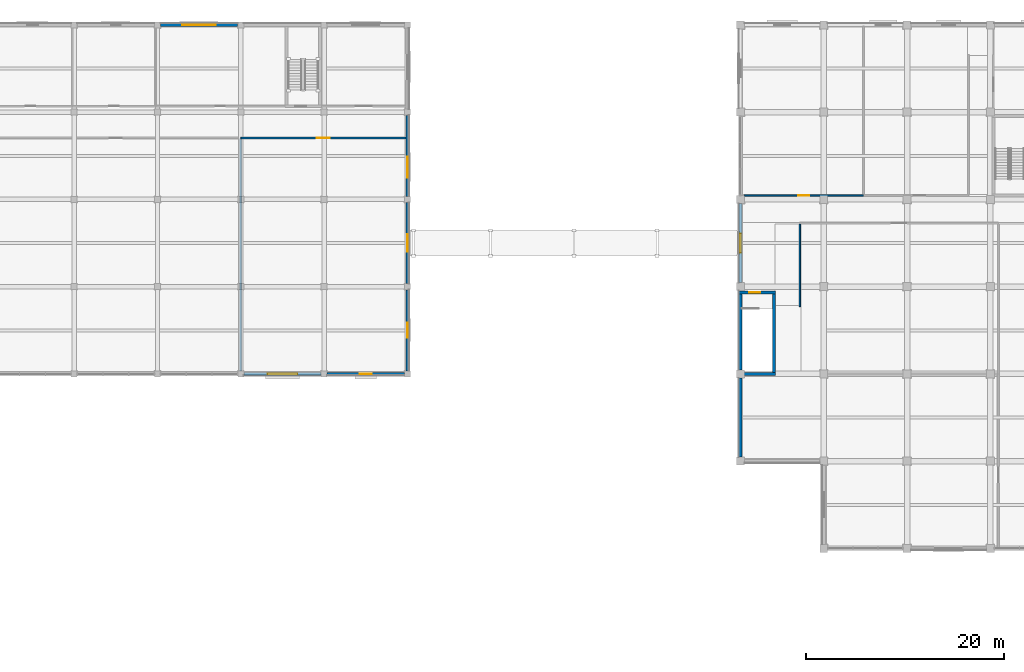
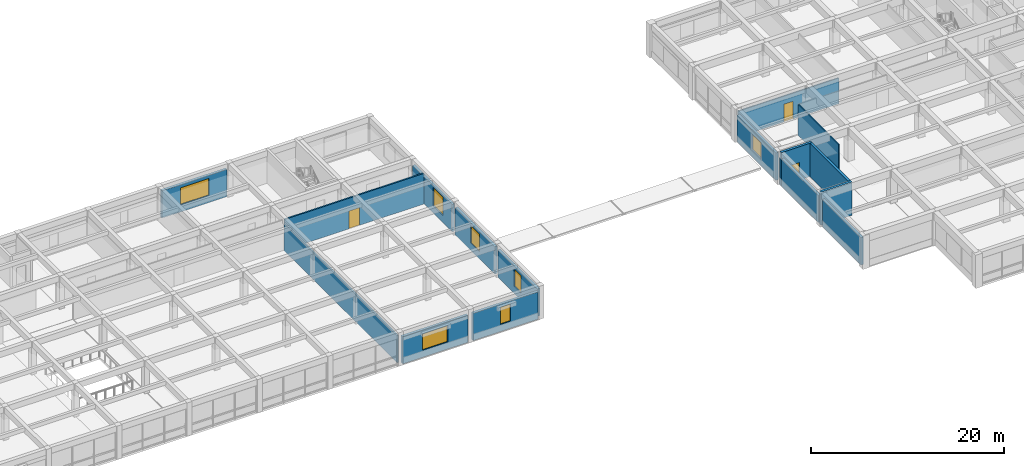
# One storey, part 33 of 46: 16 walls, 7 windows, 3 doors, 10 openings.
"""IFC4 building model written with IfcOpenShell, lengths in metres."""

from ifc_helpers import new_model, si_unit, direction, frame, frame_2d, origin, place, context, subcontext, project, spatial, rectangle, extrude, material, layer, layer_set, type_object, element, fill, save


model = new_model("IFC4")

# Units and contexts
model_context = context("Model", 3, precision=1e-05, world=origin(), true_north=direction((0.0, 1.0)))
body_context = subcontext(model_context, "Body", "Model", "MODEL_VIEW")
ifc_project = project(units=[si_unit("LENGTHUNIT", "METRE"), si_unit("AREAUNIT", "SQUARE_METRE"), si_unit("VOLUMEUNIT", "CUBIC_METRE"), si_unit("PLANEANGLEUNIT", "RADIAN"), si_unit("MASSUNIT", "GRAM", prefix="KILO")], contexts=[model_context])

# Site, building, storey
site_placement = place(None, origin())
site = spatial("IfcSite", under=ifc_project, at=site_placement, CompositionType="ELEMENT")
building_placement = place(site_placement, origin())
building = spatial("IfcBuilding", under=site, at=building_placement, Name="Kemercrest Conservatory and Botanical Centre", CompositionType="ELEMENT")
storey_placement = place(building_placement, frame((0.0, 0.0, 9.0)))
storey = spatial("IfcBuildingStorey", under=building, at=storey_placement, Name="L02", CompositionType="ELEMENT", Elevation=9.0)

# Walls
ifc_material_1 = material(Name="Precast concrete C40/50", Category="concrete")
ifc_layer_1 = layer(ifc_material_1, 0.300048828125)
ifc_layer_set_1 = layer_set([ifc_layer_1], Name="Precast concrete C40/50")
wall_type_1 = type_object("IfcWallType", Name="CW-EXT300", PredefinedType="SHEAR", material=ifc_layer_set_1)
for number, where, z_axis, x_axis, name in (
    (1, (125.60009765625, 95.590087890625, 0.0), (0.0, 0.0, 1.0), (0.0, -1.0, 0.0), "Exterior stair-core shear wall CW-EXT300 (WAL:L02:EXT-206)"),
    (2, (125.60009765625, 86.7900390625, 0.0), (0.0, 0.0, 1.0), (0.0, -1.0, 0.0), "Exterior stair-core shear wall CW-EXT300 (WAL:L02:EXT-207)"),
):
    element("IfcWall", number, at=place(storey_placement, frame(where, z_axis=z_axis, x_axis=x_axis)), inside=storey, type_object=wall_type_1, Name=name, PredefinedType="SHEAR", context=body_context, shape_type="SweptSolid", body=[
        extrude(rectangle(XDim=7.97998046875, YDim=0.300048828125, at=frame_2d((3.989990234375, 0.0))), origin(), (0.0, 0.0, 1.0), 3.449951171875),
    ])
ifc_material_2 = material(Name="Concrete C50/60", Category="concrete")
ifc_layer_2 = layer(ifc_material_2, 0.300048828125)
ifc_layer_set_2 = layer_set([ifc_layer_2], Name="Concrete C50/60")
wall_type_2 = type_object("IfcWallType", Name="CW-STAIR", PredefinedType="SHEAR", material=ifc_layer_set_2)
wall_1_placement = place(storey_placement, frame((125.449951171875, 87.199951171875, 0.0), z_axis=(0.0, 0.0, 1.0), x_axis=(1.0, 0.0, 0.0)))
element("IfcWall", 3, at=wall_1_placement, inside=storey, type_object=wall_type_2, Name="Stair core ST-V4C shear wall S", PredefinedType="SHEAR", context=body_context, shape_type="SweptSolid", body=[
    extrude(rectangle(XDim=3.699951171875, YDim=0.300048828125, at=frame_2d((1.85009765625, 0.0))), origin(), (0.0, 0.0, 1.0), 4.199951171875),
])

# Wall, opening, door
wall_2_placement = place(storey_placement, frame((125.449951171875, 95.39990234375, 0.0), z_axis=(0.0, 0.0, 1.0), x_axis=(1.0, 0.0, 0.0)))
wall_2 = element("IfcWall", 4, at=wall_2_placement, inside=storey, type_object=wall_type_2, Name="Stair core ST-V4C shear wall N", PredefinedType="SHEAR", context=body_context, shape_type="SweptSolid", body=[
    extrude(rectangle(XDim=3.699951171875, YDim=0.300048828125, at=frame_2d((1.85009765625, 0.0))), origin(), (0.0, 0.0, 1.0), 4.199951171875),
])
opening_1_placement = place(wall_2_placement, frame((1.050048828125, 0.0, 0.0)))
opening_1 = element("IfcOpeningElement", 5, at=opening_1_placement, cuts=wall_2, Name="Opening D066", PredefinedType="OPENING", context=body_context, shape_type="SweptSolid", body=[
    extrude(rectangle(XDim=1.10009765625, YDim=2.199951171875, at=frame_2d((0.550048828125, 1.10009765625))), frame((0.0, 0.16015625, 0.0), z_axis=(0.0, -1.0, 0.0), x_axis=(1.0, 0.0, 0.0)), (0.0, 0.0, 1.0), 0.320068359375),
])
ifc_material_3 = material(Name="Powder-coated galvanized steel and fire-rated vision glass", Category="steel")
door_type_1 = type_object("IfcDoorType", Name="DT-FD90", OperationType="NOTDEFINED", PredefinedType="DOOR", material=ifc_material_3)
door_1_placement = place(opening_1_placement, origin())
door_1 = element("IfcDoor", 6, at=door_1_placement, inside=storey, type_object=door_type_1, Name="Exit stair ST-V4C fire door D066", OperationType="SINGLE_SWING_RIGHT", OverallHeight=2.199951171875, OverallWidth=1.10009765625, PredefinedType="DOOR", context=body_context, shape_type="SweptSolid", body=[
    extrude(rectangle(XDim=1.10009765625, YDim=2.199951171875, at=frame_2d((0.550048828125, 1.10009765625))), frame((0.0, 0.02490234375, 0.0), z_axis=(0.0, -1.0, 0.0), x_axis=(1.0, 0.0, 0.0)), (0.0, 0.0, 1.0), 0.050048828125),
])
fill(opening_1, door_1)

# Wall
wall_3_placement = place(storey_placement, frame((129.0, 87.050048828125, 0.0), z_axis=(0.0, 0.0, 1.0), x_axis=(0.0, 1.0, 0.0)))
element("IfcWall", 7, at=wall_3_placement, inside=storey, type_object=wall_type_2, Name="Stair core ST-V4C shear wall E", PredefinedType="SHEAR", context=body_context, shape_type="SweptSolid", body=[
    extrude(rectangle(XDim=8.5, YDim=0.300048828125, at=frame_2d((4.25, 0.0))), origin(), (0.0, 0.0, 1.0), 4.199951171875),
])

# Wall, opening, window
ifc_layer_3 = layer(ifc_material_1, 0.300048828125)
ifc_layer_set_3 = layer_set([ifc_layer_3], Name="Precast concrete C40/50")
wall_type_3 = type_object("IfcWallType", Name="W-EXT300", PredefinedType="SOLIDWALL", material=ifc_layer_set_3)
wall_4_placement = place(storey_placement, frame((75.510009765625, 87.199951171875, 0.0), z_axis=(0.0, 0.0, 1.0), x_axis=(1.0, 0.0, 0.0)))
wall_4 = element("IfcWall", 8, at=wall_4_placement, inside=storey, type_object=wall_type_3, Name="Exterior almasik wall W-EXT300 (WAL:L02:EXT-119)", PredefinedType="SOLIDWALL", context=body_context, shape_type="SweptSolid", body=[
    extrude(rectangle(XDim=7.780029296875, YDim=0.300048828125, at=frame_2d((3.89013671875, 0.0))), origin(), (0.0, 0.0, 1.0), 3.449951171875),
])
opening_2_placement = place(wall_4_placement, frame((2.389892578125, 0.0, 0.89990234375)))
opening_2 = element("IfcOpeningElement", 9, at=opening_2_placement, cuts=wall_4, Name="Opening WT-12", PredefinedType="OPENING", context=body_context, shape_type="SweptSolid", body=[
    extrude(rectangle(XDim=3.0, YDim=2.050048828125, at=frame_2d((1.5, 1.02490234375))), frame((0.0, 0.16015625, 0.0), z_axis=(0.0, -1.0, 0.0), x_axis=(1.0, 0.0, 0.0)), (0.0, 0.0, 1.0), 0.320068359375),
])
ifc_material_4 = material(Name="Thermally broken bronze-anodized aluminium and triple glazing", Category="aluminium")
window_type_1 = type_object("IfcWindowType", Name="WT-12", PartitioningType="SINGLE_PANEL", PredefinedType="WINDOW", material=ifc_material_4)
window_1_placement = place(opening_2_placement, origin())
window_1 = element("IfcWindow", 10, at=window_1_placement, inside=storey, type_object=window_type_1, Name="Exterior window WT-12 (WIN:L02:EXT-119)", OverallHeight=2.050048828125, OverallWidth=3.0, PartitioningType="SINGLE_PANEL", PredefinedType="WINDOW", context=body_context, shape_type="SweptSolid", body=[
    extrude(rectangle(XDim=3.0, YDim=2.050048828125, at=frame_2d((1.5, 1.02490234375))), frame((0.0, 0.030029296875, 0.0), z_axis=(0.0, -1.0, 0.0), x_axis=(1.0, 0.0, 0.0)), (0.0, 0.0, 1.0), 0.06005859375),
])
fill(opening_2, window_1)

wall_5_placement = place(storey_placement, frame((83.909912109375, 87.199951171875, 0.0), z_axis=(0.0, 0.0, 1.0), x_axis=(1.0, 0.0, 0.0)))
wall_5 = element("IfcWall", 11, at=wall_5_placement, inside=storey, type_object=wall_type_3, Name="Exterior almasik wall W-EXT300 (WAL:L02:EXT-120)", PredefinedType="SOLIDWALL", context=body_context, shape_type="SweptSolid", body=[
    extrude(rectangle(XDim=7.780029296875, YDim=0.300048828125, at=frame_2d((3.89013671875, 0.0))), origin(), (0.0, 0.0, 1.0), 3.449951171875),
])
opening_3_placement = place(wall_5_placement, frame((3.2900390625, 0.0, 0.89990234375)))
opening_3 = element("IfcOpeningElement", 12, at=opening_3_placement, cuts=wall_5, Name="Opening WT-13", PredefinedType="OPENING", context=body_context, shape_type="SweptSolid", body=[
    extrude(rectangle(XDim=1.199951171875, YDim=2.14990234375, at=frame_2d((0.60009765625, 1.074951171875))), frame((0.0, 0.16015625, 0.0), z_axis=(0.0, -1.0, 0.0), x_axis=(1.0, 0.0, 0.0)), (0.0, 0.0, 1.0), 0.320068359375),
])
window_type_2 = type_object("IfcWindowType", Name="WT-13", PartitioningType="SINGLE_PANEL", PredefinedType="WINDOW", material=ifc_material_4)
window_2_placement = place(opening_3_placement, origin())
window_2 = element("IfcWindow", 13, at=window_2_placement, inside=storey, type_object=window_type_2, Name="Exterior window WT-13 (WIN:L02:EXT-120)", OverallHeight=2.14990234375, OverallWidth=1.199951171875, PartitioningType="SINGLE_PANEL", PredefinedType="WINDOW", context=body_context, shape_type="SweptSolid", body=[
    extrude(rectangle(XDim=1.199951171875, YDim=2.14990234375, at=frame_2d((0.60009765625, 1.074951171875))), frame((0.0, 0.030029296875, 0.0), z_axis=(0.0, -1.0, 0.0), x_axis=(1.0, 0.0, 0.0)), (0.0, 0.0, 1.0), 0.06005859375),
])
fill(opening_3, window_2)

wall_6_placement = place(storey_placement, frame((92.0, 87.510009765625, 0.0), z_axis=(0.0, 0.0, 1.0), x_axis=(0.0, 1.0, 0.0)))
wall_6 = element("IfcWall", 14, at=wall_6_placement, inside=storey, type_object=wall_type_3, Name="Exterior almasik wall W-EXT300 (WAL:L02:EXT-121)", PredefinedType="SOLIDWALL", context=body_context, shape_type="SweptSolid", body=[
    extrude(rectangle(XDim=8.179931640625, YDim=0.300048828125, at=frame_2d((4.08984375, 0.0))), origin(), (0.0, 0.0, 1.0), 3.449951171875),
])
opening_4_placement = place(wall_6_placement, frame((3.340087890625, 0.0, 0.89990234375)))
opening_4 = element("IfcOpeningElement", 15, at=opening_4_placement, cuts=wall_6, Name="Opening WT-14", PredefinedType="OPENING", context=body_context, shape_type="SweptSolid", body=[
    extrude(rectangle(XDim=1.5, YDim=2.199951171875, at=frame_2d((0.75, 1.10009765625))), frame((0.0, 0.16015625, 0.0), z_axis=(0.0, -1.0, 0.0), x_axis=(1.0, 0.0, 0.0)), (0.0, 0.0, 1.0), 0.320068359375),
])
window_type_3 = type_object("IfcWindowType", Name="WT-14", PartitioningType="SINGLE_PANEL", PredefinedType="WINDOW", material=ifc_material_4)
window_3_placement = place(opening_4_placement, origin())
window_3 = element("IfcWindow", 16, at=window_3_placement, inside=storey, type_object=window_type_3, Name="Exterior window WT-14 (WIN:L02:EXT-121)", OverallHeight=2.199951171875, OverallWidth=1.5, PartitioningType="SINGLE_PANEL", PredefinedType="WINDOW", context=body_context, shape_type="SweptSolid", body=[
    extrude(rectangle(XDim=1.5, YDim=2.199951171875, at=frame_2d((0.75, 1.10009765625))), frame((0.0, 0.030029296875, 0.0), z_axis=(0.0, -1.0, 0.0), x_axis=(1.0, 0.0, 0.0)), (0.0, 0.0, 1.0), 0.06005859375),
])
fill(opening_4, window_3)

wall_7_placement = place(storey_placement, frame((92.0, 96.31005859375, 0.0), z_axis=(0.0, 0.0, 1.0), x_axis=(0.0, 1.0, 0.0)))
wall_7 = element("IfcWall", 17, at=wall_7_placement, inside=storey, type_object=wall_type_3, Name="Exterior almasik wall W-EXT300 (WAL:L02:EXT-122)", PredefinedType="SOLIDWALL", context=body_context, shape_type="SweptSolid", body=[
    extrude(rectangle(XDim=8.179931640625, YDim=0.300048828125, at=frame_2d((4.08984375, 0.0))), origin(), (0.0, 0.0, 1.0), 3.449951171875),
])
opening_5_placement = place(wall_7_placement, frame((3.18994140625, 0.0, 0.89990234375)))
opening_5 = element("IfcOpeningElement", 18, at=opening_5_placement, cuts=wall_7, Name="Opening WT-15", PredefinedType="OPENING", context=body_context, shape_type="SweptSolid", body=[
    extrude(rectangle(XDim=1.800048828125, YDim=2.25, at=frame_2d((0.89990234375, 1.125))), frame((0.0, 0.16015625, 0.0), z_axis=(0.0, -1.0, 0.0), x_axis=(1.0, 0.0, 0.0)), (0.0, 0.0, 1.0), 0.320068359375),
])
window_type_4 = type_object("IfcWindowType", Name="WT-15", PartitioningType="SINGLE_PANEL", PredefinedType="WINDOW", material=ifc_material_4)
window_4_placement = place(opening_5_placement, origin())
window_4 = element("IfcWindow", 19, at=window_4_placement, inside=storey, type_object=window_type_4, Name="Exterior window WT-15 (WIN:L02:EXT-122)", OverallHeight=2.25, OverallWidth=1.800048828125, PartitioningType="SINGLE_PANEL", PredefinedType="WINDOW", context=body_context, shape_type="SweptSolid", body=[
    extrude(rectangle(XDim=1.800048828125, YDim=2.25, at=frame_2d((0.89990234375, 1.125))), frame((0.0, 0.030029296875, 0.0), z_axis=(0.0, -1.0, 0.0), x_axis=(1.0, 0.0, 0.0)), (0.0, 0.0, 1.0), 0.06005859375),
])
fill(opening_5, window_4)

wall_8_placement = place(storey_placement, frame((92.0, 105.110107421875, 0.0), z_axis=(0.0, 0.0, 1.0), x_axis=(0.0, 1.0, 0.0)))
wall_8 = element("IfcWall", 20, at=wall_8_placement, inside=storey, type_object=wall_type_3, Name="Exterior almasik wall W-EXT300 (WAL:L02:EXT-123)", PredefinedType="SOLIDWALL", context=body_context, shape_type="SweptSolid", body=[
    extrude(rectangle(XDim=8.179931640625, YDim=0.300048828125, at=frame_2d((4.08984375, 0.0))), origin(), (0.0, 0.0, 1.0), 3.449951171875),
])
opening_6_placement = place(wall_8_placement, frame((1.89501953125, 0.0, 0.89990234375)))
opening_6 = element("IfcOpeningElement", 21, at=opening_6_placement, cuts=wall_8, Name="Opening WT-16", PredefinedType="OPENING", context=body_context, shape_type="SweptSolid", body=[
    extrude(rectangle(XDim=2.10009765625, YDim=2.300048828125, at=frame_2d((1.050048828125, 1.14990234375))), frame((0.0, 0.16015625, 0.0), z_axis=(0.0, -1.0, 0.0), x_axis=(1.0, 0.0, 0.0)), (0.0, 0.0, 1.0), 0.320068359375),
])
window_type_5 = type_object("IfcWindowType", Name="WT-16", PartitioningType="SINGLE_PANEL", PredefinedType="WINDOW", material=ifc_material_4)
window_5_placement = place(opening_6_placement, origin())
window_5 = element("IfcWindow", 22, at=window_5_placement, inside=storey, type_object=window_type_5, Name="Exterior window WT-16 (WIN:L02:EXT-123)", OverallHeight=2.300048828125, OverallWidth=2.10009765625, PartitioningType="SINGLE_PANEL", PredefinedType="WINDOW", context=body_context, shape_type="SweptSolid", body=[
    extrude(rectangle(XDim=2.10009765625, YDim=2.300048828125, at=frame_2d((1.050048828125, 1.14990234375))), frame((0.0, 0.030029296875, 0.0), z_axis=(0.0, -1.0, 0.0), x_axis=(1.0, 0.0, 0.0)), (0.0, 0.0, 1.0), 0.06005859375),
])
fill(opening_6, window_5)

wall_9_placement = place(storey_placement, frame((74.889892578125, 122.39990234375, 0.0), z_axis=(0.0, 0.0, 1.0), x_axis=(-1.0, 0.0, 0.0)))
wall_9 = element("IfcWall", 23, at=wall_9_placement, inside=storey, type_object=wall_type_3, Name="Exterior almasik wall W-EXT300 (WAL:L02:EXT-127)", PredefinedType="SOLIDWALL", context=body_context, shape_type="SweptSolid", body=[
    extrude(rectangle(XDim=7.77978515625, YDim=0.300048828125, at=frame_2d((3.889892578125, 0.0))), origin(), (0.0, 0.0, 1.0), 3.449951171875),
])
opening_7_placement = place(wall_9_placement, frame((2.18994140625, 0.0, 0.89990234375)))
opening_7 = element("IfcOpeningElement", 24, at=opening_7_placement, cuts=wall_9, Name="Opening WT-20", PredefinedType="OPENING", context=body_context, shape_type="SweptSolid", body=[
    extrude(rectangle(XDim=3.39990234375, YDim=2.14990234375, at=frame_2d((1.699951171875, 1.074951171875))), frame((0.0, 0.16015625, 0.0), z_axis=(0.0, -1.0, 0.0), x_axis=(1.0, 0.0, 0.0)), (0.0, 0.0, 1.0), 0.320068359375),
])
window_type_6 = type_object("IfcWindowType", Name="WT-20", PartitioningType="SINGLE_PANEL", PredefinedType="WINDOW", material=ifc_material_4)
window_6_placement = place(opening_7_placement, origin())
window_6 = element("IfcWindow", 25, at=window_6_placement, inside=storey, type_object=window_type_6, Name="Exterior window WT-20 (WIN:L02:EXT-127)", OverallHeight=2.14990234375, OverallWidth=3.39990234375, PartitioningType="SINGLE_PANEL", PredefinedType="WINDOW", context=body_context, shape_type="SweptSolid", body=[
    extrude(rectangle(XDim=3.39990234375, YDim=2.14990234375, at=frame_2d((1.699951171875, 1.074951171875))), frame((0.0, 0.030029296875, 0.0), z_axis=(0.0, -1.0, 0.0), x_axis=(1.0, 0.0, 0.0)), (0.0, 0.0, 1.0), 0.06005859375),
])
fill(opening_7, window_6)

wall_10_placement = place(storey_placement, frame((125.60009765625, 104.389892578125, 0.0), z_axis=(0.0, 0.0, 1.0), x_axis=(0.0, -1.0, 0.0)))
wall_10 = element("IfcWall", 26, at=wall_10_placement, inside=storey, type_object=wall_type_3, Name="Exterior almasik wall W-EXT300 (WAL:L02:EXT-205)", PredefinedType="SOLIDWALL", context=body_context, shape_type="SweptSolid", body=[
    extrude(rectangle(XDim=7.97998046875, YDim=0.300048828125, at=frame_2d((3.989990234375, 0.0))), origin(), (0.0, 0.0, 1.0), 3.449951171875),
])
opening_8_placement = place(wall_10_placement, frame((3.030029296875, 0.0, 0.89990234375)))
opening_8 = element("IfcOpeningElement", 27, at=opening_8_placement, cuts=wall_10, Name="Opening WT-50", PredefinedType="OPENING", context=body_context, shape_type="SweptSolid", body=[
    extrude(rectangle(XDim=1.919921875, YDim=1.97998046875, at=frame_2d((0.9599609375, 0.989990234375))), frame((0.0, 0.16015625, 0.0), z_axis=(0.0, -1.0, 0.0), x_axis=(1.0, 0.0, 0.0)), (0.0, 0.0, 1.0), 0.320068359375),
])
window_type_7 = type_object("IfcWindowType", Name="WT-50", PartitioningType="SINGLE_PANEL", PredefinedType="WINDOW", material=ifc_material_4)
window_7_placement = place(opening_8_placement, origin())
window_7 = element("IfcWindow", 28, at=window_7_placement, inside=storey, type_object=window_type_7, Name="Exterior window WT-50 (WIN:L02:EXT-205)", OverallHeight=1.97998046875, OverallWidth=1.919921875, PartitioningType="SINGLE_PANEL", PredefinedType="WINDOW", context=body_context, shape_type="SweptSolid", body=[
    extrude(rectangle(XDim=1.919921875, YDim=1.97998046875, at=frame_2d((0.9599609375, 0.989990234375))), frame((0.0, 0.030029296875, 0.0), z_axis=(0.0, -1.0, 0.0), x_axis=(1.0, 0.0, 0.0)), (0.0, 0.0, 1.0), 0.06005859375),
])
fill(opening_8, window_7)

# Wall, opening, door
ifc_material_5 = material(Name="Steel-stud gypsum board partition", Category="steel")
ifc_layer_4 = layer(ifc_material_5, 0.14990234375)
ifc_layer_set_4 = layer_set([ifc_layer_4], Name="Steel-stud gypsum board partition")
wall_type_4 = type_object("IfcWallType", Name="W-PART150", PredefinedType="PARTITIONING", material=ifc_layer_set_4)
wall_11_placement = place(storey_placement, frame((126.0, 105.199951171875, 0.0), z_axis=(0.0, 0.0, 1.0), x_axis=(1.0, 0.0, 0.0)))
wall_11 = element("IfcWall", 29, at=wall_11_placement, inside=storey, type_object=wall_type_4, Name="Interior partition W-PART150 #120", PredefinedType="PARTITIONING", context=body_context, shape_type="SweptSolid", body=[
    extrude(rectangle(XDim=12.0, YDim=0.14990234375, at=frame_2d((6.0, 0.0))), origin(), (0.0, 0.0, 1.0), 3.2451171875),
])
opening_9_placement = place(wall_11_placement, frame((5.43994140625, 0.0, 0.0)))
opening_9 = element("IfcOpeningElement", 30, at=opening_9_placement, cuts=wall_11, Name="Opening D178", PredefinedType="OPENING", context=body_context, shape_type="SweptSolid", body=[
    extrude(rectangle(XDim=1.1201171875, YDim=2.219970703125, at=frame_2d((0.56005859375, 1.10986328125))), frame((0.0, 0.0849609375, 0.0), z_axis=(0.0, -1.0, 0.0), x_axis=(1.0, 0.0, 0.0)), (0.0, 0.0, 1.0), 0.169921875),
])
ifc_material_6 = material(Name="FSC solid-core white oak veneer and anodized aluminium frame", Category="aluminium")
door_type_2 = type_object("IfcDoorType", Name="DT-25", OperationType="NOTDEFINED", PredefinedType="DOOR", material=ifc_material_6)
door_2_placement = place(opening_9_placement, origin())
door_2 = element("IfcDoor", 31, at=door_2_placement, inside=storey, type_object=door_type_2, Name="Academic Fellowship Office door D178", OperationType="SINGLE_SWING_RIGHT", OverallHeight=2.219970703125, OverallWidth=1.1201171875, PredefinedType="DOOR", context=body_context, shape_type="SweptSolid", body=[
    extrude(rectangle(XDim=1.1201171875, YDim=2.219970703125, at=frame_2d((0.56005859375, 1.10986328125))), frame((0.0, 0.02490234375, 0.0), z_axis=(0.0, -1.0, 0.0), x_axis=(1.0, 0.0, 0.0)), (0.0, 0.0, 1.0), 0.050048828125),
])
fill(opening_9, door_2)

# Wall
wall_12_placement = place(storey_placement, frame((131.60009765625, 94.0, 0.0), z_axis=(0.0, 0.0, 1.0), x_axis=(0.0, 1.0, 0.0)))
element("IfcWall", 32, at=wall_12_placement, inside=storey, type_object=wall_type_4, Name="Interior partition W-PART150 #124", PredefinedType="PARTITIONING", context=body_context, shape_type="SweptSolid", body=[
    extrude(rectangle(XDim=8.320068359375, YDim=0.14990234375, at=frame_2d((4.16015625, 0.0))), origin(), (0.0, 0.0, 1.0), 3.864990234375),
])

# Wall, opening, door
ifc_material_7 = material(Name="Acoustic steel-stud gypsum board assembly", Category="steel")
ifc_layer_5 = layer(ifc_material_7, 0.179931640625)
ifc_layer_set_5 = layer_set([ifc_layer_5], Name="Acoustic steel-stud gypsum board assembly")
wall_type_5 = type_object("IfcWallType", Name="W-PART180", PredefinedType="PARTITIONING", material=ifc_layer_set_5)
wall_13_placement = place(storey_placement, frame((75.199951171875, 111.0, 0.0), z_axis=(0.0, 0.0, 1.0), x_axis=(1.0, 0.0, 0.0)))
wall_13 = element("IfcWall", 33, at=wall_13_placement, inside=storey, type_object=wall_type_5, Name="Interior partition W-PART180 #112", PredefinedType="PARTITIONING", context=body_context, shape_type="SweptSolid", body=[
    extrude(rectangle(XDim=16.64501953125, YDim=0.179931640625, at=frame_2d((8.322509765625, 0.0))), origin(), (0.0, 0.0, 1.0), 3.864990234375),
])
opening_10_placement = place(wall_13_placement, frame((7.6826171875, 0.0, 0.0)))
opening_10 = element("IfcOpeningElement", 34, at=opening_10_placement, cuts=wall_13, Name="Opening D170", PredefinedType="OPENING", context=body_context, shape_type="SweptSolid", body=[
    extrude(rectangle(XDim=1.280029296875, YDim=2.25, at=frame_2d((0.64013671875, 1.125))), frame((0.0, 0.10009765625, 0.0), z_axis=(0.0, -1.0, 0.0), x_axis=(1.0, 0.0, 0.0)), (0.0, 0.0, 1.0), 0.199951171875),
])
door_type_3 = type_object("IfcDoorType", Name="DT-07", OperationType="NOTDEFINED", PredefinedType="DOOR", material=ifc_material_6)
door_3_placement = place(opening_10_placement, origin())
door_3 = element("IfcDoor", 35, at=door_3_placement, inside=storey, type_object=door_type_3, Name="Specimen Preparation Laboratory door D170", OperationType="SINGLE_SWING_RIGHT", OverallHeight=2.25, OverallWidth=1.280029296875, PredefinedType="DOOR", context=body_context, shape_type="SweptSolid", body=[
    extrude(rectangle(XDim=1.280029296875, YDim=2.25, at=frame_2d((0.64013671875, 1.125))), frame((0.0, 0.02490234375, 0.0), z_axis=(0.0, -1.0, 0.0), x_axis=(1.0, 0.0, 0.0)), (0.0, 0.0, 1.0), 0.050048828125),
])
fill(opening_10, door_3)

# Wall
wall_14_placement = place(storey_placement, frame((75.199951171875, 87.5, 0.0), z_axis=(0.0, 0.0, 1.0), x_axis=(0.0, 1.0, 0.0)))
element("IfcWall", 36, at=wall_14_placement, inside=storey, type_object=wall_type_5, Name="Interior partition W-PART180 #131", PredefinedType="PARTITIONING", context=body_context, shape_type="SweptSolid", body=[
    extrude(rectangle(XDim=23.405029296875, YDim=0.179931640625, at=frame_2d((11.70263671875, 0.0))), origin(), (0.0, 0.0, 1.0), 3.445068359375),
])

save(model, "model.ifc")
